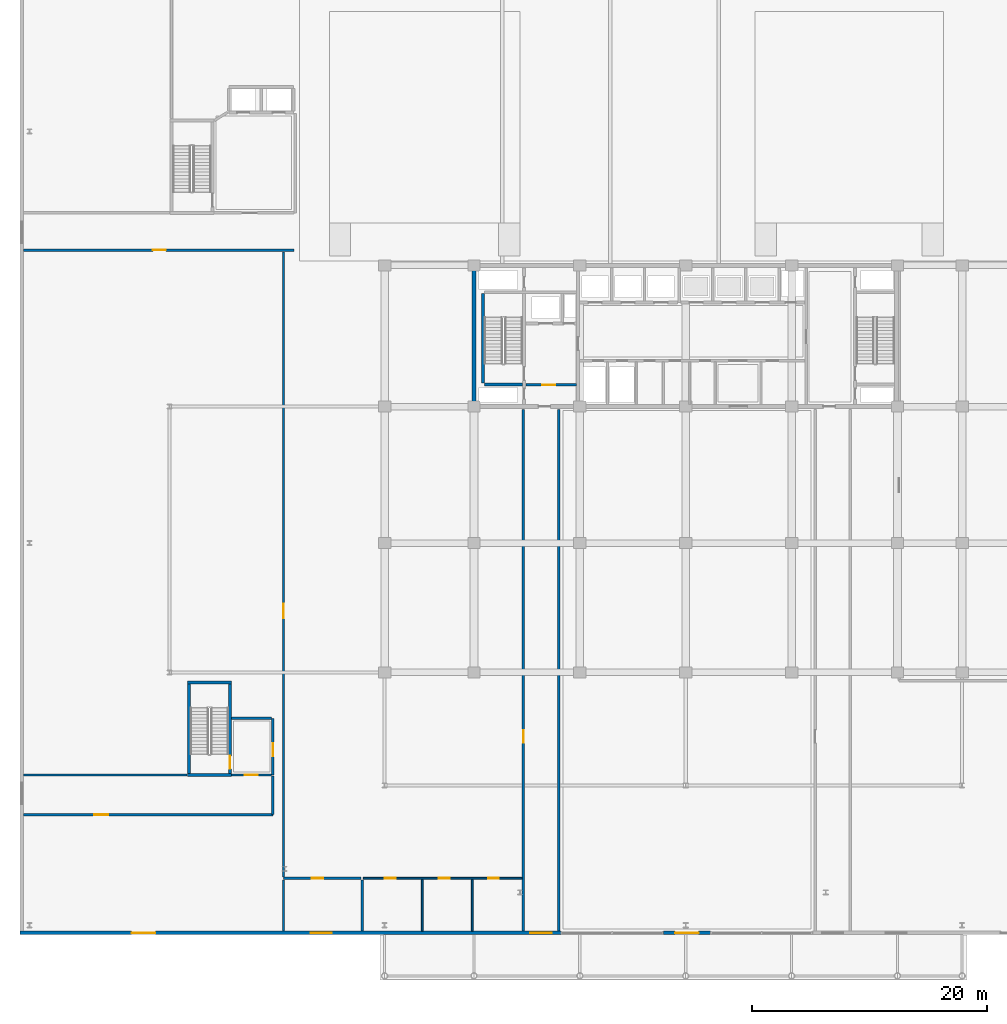
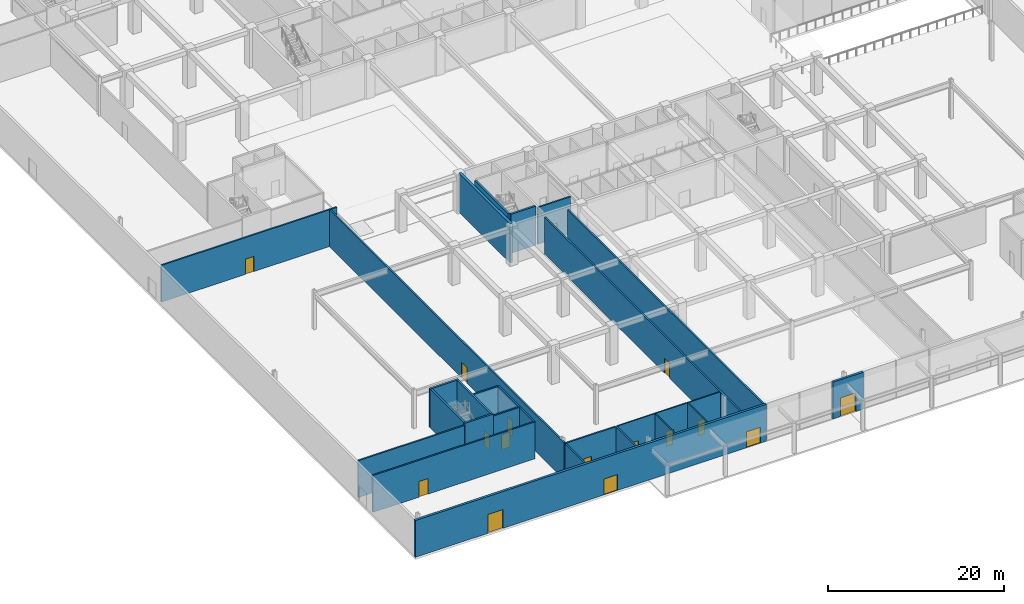
# One storey, part 20 of 46: 26 walls, 16 doors, 16 openings.
"""IFC4 building model written with IfcOpenShell, lengths in metres."""

from ifc_helpers import new_model, si_unit, direction, frame, frame_2d, origin, place, context, subcontext, project, spatial, rectangle, extrude, material, layer, layer_set, type_object, element, fill, save


model = new_model("IFC4")

# Units and contexts
model_context = context("Model", 3, precision=1e-05, world=origin(), true_north=direction((0.0, 1.0)))
body_context = subcontext(model_context, "Body", "Model", "MODEL_VIEW")
ifc_project = project(units=[si_unit("LENGTHUNIT", "METRE"), si_unit("AREAUNIT", "SQUARE_METRE"), si_unit("VOLUMEUNIT", "CUBIC_METRE"), si_unit("PLANEANGLEUNIT", "RADIAN"), si_unit("MASSUNIT", "GRAM", prefix="KILO")], contexts=[model_context])

# Site, building, storey
site_placement = place(None, origin())
site = spatial("IfcSite", under=ifc_project, at=site_placement, CompositionType="ELEMENT")
building_placement = place(site_placement, origin())
building = spatial("IfcBuilding", under=site, at=building_placement, Name="Korimba Cascade Residences", CompositionType="ELEMENT")
storey_placement = place(building_placement, origin())
storey = spatial("IfcBuildingStorey", under=building, at=storey_placement, Name="L00", CompositionType="ELEMENT", Elevation=0.0)

# Wall, openings, doors
ifc_material_1 = material(Name="Precast concrete C40/50", Category="concrete")
ifc_layer_1 = layer(ifc_material_1, 0.300048828125)
ifc_layer_set_1 = layer_set([ifc_layer_1], Name="Precast concrete C40/50")
wall_type_1 = type_object("IfcWallType", Name="EW-STONE-300", PredefinedType="STANDARD", material=ifc_layer_set_1)
wall_1_placement = place(storey_placement, frame((43.5, -26.35009765625, 0.0), z_axis=(0.0, 0.0, 1.0), x_axis=(1.0, 0.0, 0.0)))
wall_1 = element("IfcWall", 1, at=wall_1_placement, inside=storey, type_object=wall_type_1, Name="L00 South-West Stone Podium Wall", PredefinedType="STANDARD", context=body_context, shape_type="SweptSolid", body=[
    extrude(rectangle(XDim=46.0, YDim=0.300048828125, at=frame_2d((23.0, 0.0))), origin(), (0.0, 0.0, 1.0), 5.10009765625),
])
opening_1_placement = place(wall_1_placement, frame((9.5, 0.0, 0.0)))
opening_1 = element("IfcOpeningElement", 2, at=opening_1_placement, cuts=wall_1, Name="Opening D-EX1", PredefinedType="OPENING", context=body_context, shape_type="SweptSolid", body=[
    extrude(rectangle(XDim=2.0, YDim=2.60009765625, at=frame_2d((1.0, 1.300048828125))), frame((0.0, 0.16015625, 0.0), z_axis=(0.0, -1.0, 0.0), x_axis=(1.0, 0.0, 0.0)), (0.0, 0.0, 1.0), 0.320068359375),
])
opening_2_placement = place(wall_1_placement, frame((24.699951171875, 0.0, 0.0)))
opening_2 = element("IfcOpeningElement", 3, at=opening_2_placement, cuts=wall_1, Name="Opening D-EX2", PredefinedType="OPENING", context=body_context, shape_type="SweptSolid", body=[
    extrude(rectangle(XDim=1.800048828125, YDim=2.199951171875, at=frame_2d((0.89990234375, 1.10009765625))), frame((0.0, 0.16015625, 0.0), z_axis=(0.0, -1.0, 0.0), x_axis=(1.0, 0.0, 0.0)), (0.0, 0.0, 1.0), 0.320068359375),
])
opening_3_placement = place(wall_1_placement, frame((43.39990234375, 0.0, 0.0)))
opening_3 = element("IfcOpeningElement", 4, at=opening_3_placement, cuts=wall_1, Name="Opening D-EX2", PredefinedType="OPENING", context=body_context, shape_type="SweptSolid", body=[
    extrude(rectangle(XDim=1.800048828125, YDim=2.199951171875, at=frame_2d((0.89990234375, 1.10009765625))), frame((0.0, 0.16015625, 0.0), z_axis=(0.0, -1.0, 0.0), x_axis=(1.0, 0.0, 0.0)), (0.0, 0.0, 1.0), 0.320068359375),
])
ifc_material_2 = material(Name="Double-Glazed Entrance Doors", Category="glass")
door_type_1 = type_object("IfcDoorType", Name="DR-EXT-ENT", OperationType="NOTDEFINED", PredefinedType="DOOR", material=ifc_material_2)
door_1_placement = place(opening_1_placement, frame((2.0, 0.0, 0.0), z_axis=(0.0, 0.0, 1.0), x_axis=(-1.0, 0.0, 0.0)))
door_1 = element("IfcDoor", 5, at=door_1_placement, inside=storey, type_object=door_type_1, Name="L00 Corner Retail Street Entrance Door", OperationType="DOUBLE_DOOR_SINGLE_SWING", OverallHeight=2.60009765625, OverallWidth=2.0, PredefinedType="DOOR", context=body_context, shape_type="SweptSolid", body=[
    extrude(rectangle(XDim=2.0, YDim=2.60009765625, at=frame_2d((1.0, 1.300048828125))), frame((0.0, 0.02490234375, 0.0), z_axis=(0.0, -1.0, 0.0), x_axis=(1.0, 0.0, 0.0)), (0.0, 0.0, 1.0), 0.050048828125),
])
fill(opening_1, door_1)
ifc_material_3 = material(Name="Galvanised Steel Fire Exit Door", Category="steel")
door_type_2 = type_object("IfcDoorType", Name="DR-EXT-EXIT", OperationType="NOTDEFINED", PredefinedType="DOOR", material=ifc_material_3)
door_2_placement = place(opening_2_placement, frame((1.800048828125, 0.0, 0.0), z_axis=(0.0, 0.0, 1.0), x_axis=(-1.0, 0.0, 0.0)))
door_2 = element("IfcDoor", 6, at=door_2_placement, inside=storey, type_object=door_type_2, Name="L00 Fire Command Centre Direct Street Door", OperationType="DOUBLE_DOOR_SINGLE_SWING", OverallHeight=2.199951171875, OverallWidth=1.800048828125, PredefinedType="DOOR", context=body_context, shape_type="SweptSolid", body=[
    extrude(rectangle(XDim=1.800048828125, YDim=2.199951171875, at=frame_2d((0.89990234375, 1.10009765625))), frame((0.0, 0.02490234375, 0.0), z_axis=(0.0, -1.0, 0.0), x_axis=(1.0, 0.0, 0.0)), (0.0, 0.0, 1.0), 0.050048828125),
])
fill(opening_2, door_2)
door_3_placement = place(opening_3_placement, frame((1.800048828125, 0.0, 0.0), z_axis=(0.0, 0.0, 1.0), x_axis=(-1.0, 0.0, 0.0)))
door_3 = element("IfcDoor", 7, at=door_3_placement, inside=storey, type_object=door_type_2, Name="L00 Street Fire Exit Door EX-01", OperationType="DOUBLE_DOOR_SINGLE_SWING", OverallHeight=2.199951171875, OverallWidth=1.800048828125, PredefinedType="DOOR", context=body_context, shape_type="SweptSolid", body=[
    extrude(rectangle(XDim=1.800048828125, YDim=2.199951171875, at=frame_2d((0.89990234375, 1.10009765625))), frame((0.0, 0.02490234375, 0.0), z_axis=(0.0, -1.0, 0.0), x_axis=(1.0, 0.0, 0.0)), (0.0, 0.0, 1.0), 0.050048828125),
])
fill(opening_3, door_3)

# Wall, opening, door
wall_2_placement = place(storey_placement, frame((98.199951171875, -26.35009765625, 0.0), z_axis=(0.0, 0.0, 1.0), x_axis=(1.0, 0.0, 0.0)))
wall_2 = element("IfcWall", 8, at=wall_2_placement, inside=storey, type_object=wall_type_1, Name="L00 South Portal Entrance Wall", PredefinedType="STANDARD", context=body_context, shape_type="SweptSolid", body=[
    extrude(rectangle(XDim=4.0, YDim=0.300048828125, at=frame_2d((2.0, 0.0))), origin(), (0.0, 0.0, 1.0), 5.10009765625),
])
opening_4_placement = place(wall_2_placement, frame((1.0, 0.0, 0.0)))
opening_4 = element("IfcOpeningElement", 9, at=opening_4_placement, cuts=wall_2, Name="Opening D-EX1", PredefinedType="OPENING", context=body_context, shape_type="SweptSolid", body=[
    extrude(rectangle(XDim=2.0, YDim=2.60009765625, at=frame_2d((1.0, 1.300048828125))), frame((0.0, 0.16015625, 0.0), z_axis=(0.0, -1.0, 0.0), x_axis=(1.0, 0.0, 0.0)), (0.0, 0.0, 1.0), 0.320068359375),
])
door_4_placement = place(opening_4_placement, frame((2.0, 0.0, 0.0), z_axis=(0.0, 0.0, 1.0), x_axis=(-1.0, 0.0, 0.0)))
door_4 = element("IfcDoor", 10, at=door_4_placement, inside=storey, type_object=door_type_1, Name="L00 Main South Concierge Entrance Door", OperationType="DOUBLE_DOOR_SINGLE_SWING", OverallHeight=2.60009765625, OverallWidth=2.0, PredefinedType="DOOR", context=body_context, shape_type="SweptSolid", body=[
    extrude(rectangle(XDim=2.0, YDim=2.60009765625, at=frame_2d((1.0, 1.300048828125))), frame((0.0, 0.02490234375, 0.0), z_axis=(0.0, -1.0, 0.0), x_axis=(1.0, 0.0, 0.0)), (0.0, 0.0, 1.0), 0.050048828125),
])
fill(opening_4, door_4)

# Wall
ifc_material_4 = material(Name="Concrete C65/80", Category="concrete")
ifc_layer_2 = layer(ifc_material_4, 0.35009765625)
ifc_layer_set_2 = layer_set([ifc_layer_2], Name="Concrete C65/80")
wall_type_2 = type_object("IfcWallType", Name="WAL-CORE-350", PredefinedType="SHEAR", material=ifc_layer_set_2)
wall_3_placement = place(storey_placement, frame((82.10009765625, 18.574951171875, 0.0), z_axis=(0.0, 0.0, 1.0), x_axis=(0.0, 1.0, 0.0)))
element("IfcWall", 11, at=wall_3_placement, inside=storey, type_object=wall_type_2, Name="L00 Core Shear Wall CW-L00-T2-W", PredefinedType="SHEAR", context=body_context, shape_type="SweptSolid", body=[
    extrude(rectangle(XDim=11.650146484375, YDim=0.35009765625, at=frame_2d((5.8251953125, 0.0))), origin(), (0.0, 0.0, 1.0), 5.39990234375),
])

# Wall, openings, doors
ifc_material_5 = material(Name="Insulated Acoustic Stud Partition", Category="gypsum")
ifc_layer_3 = layer(ifc_material_5, 0.14990234375)
ifc_layer_set_3 = layer_set([ifc_layer_3], Name="Insulated Acoustic Stud Partition")
wall_type_3 = type_object("IfcWallType", Name="WAL-PART-150", PredefinedType="PARTITIONING", material=ifc_layer_set_3)
wall_4_placement = place(storey_placement, frame((72.699951171875, -21.699951171875, 0.0), z_axis=(0.0, 0.0, 1.0), x_axis=(1.0, 0.0, 0.0)))
wall_4 = element("IfcWall", 12, at=wall_4_placement, inside=storey, type_object=wall_type_3, Name="L00 Partition Wall WAL-L00-WCN", PredefinedType="PARTITIONING", context=body_context, shape_type="SweptSolid", body=[
    extrude(rectangle(XDim=13.5, YDim=0.14990234375, at=frame_2d((6.75, 0.0))), origin(), (0.0, 0.0, 1.0), 5.10009765625),
])
opening_5_placement = place(wall_4_placement, frame((1.800048828125, 0.0, 0.0)))
opening_5 = element("IfcOpeningElement", 13, at=opening_5_placement, cuts=wall_4, Name="Opening D-AC1", PredefinedType="OPENING", context=body_context, shape_type="SweptSolid", body=[
    extrude(rectangle(XDim=0.9599609375, YDim=2.10009765625, at=frame_2d((0.47998046875, 1.050048828125))), frame((0.0, 0.0849609375, 0.0), z_axis=(0.0, -1.0, 0.0), x_axis=(1.0, 0.0, 0.0)), (0.0, 0.0, 1.0), 0.169921875),
])
opening_6_placement = place(wall_4_placement, frame((6.39990234375, 0.0, 0.0)))
opening_6 = element("IfcOpeningElement", 14, at=opening_6_placement, cuts=wall_4, Name="Opening D-IN1", PredefinedType="OPENING", context=body_context, shape_type="SweptSolid", body=[
    extrude(rectangle(XDim=0.919921875, YDim=2.080078125, at=frame_2d((0.4599609375, 1.0400390625))), frame((0.0, 0.0849609375, 0.0), z_axis=(0.0, -1.0, 0.0), x_axis=(1.0, 0.0, 0.0)), (0.0, 0.0, 1.0), 0.169921875),
])
opening_7_placement = place(wall_4_placement, frame((10.60009765625, 0.0, 0.0)))
opening_7 = element("IfcOpeningElement", 15, at=opening_7_placement, cuts=wall_4, Name="Opening D-IN1", PredefinedType="OPENING", context=body_context, shape_type="SweptSolid", body=[
    extrude(rectangle(XDim=0.919921875, YDim=2.080078125, at=frame_2d((0.4599609375, 1.0400390625))), frame((0.0, 0.0849609375, 0.0), z_axis=(0.0, -1.0, 0.0), x_axis=(1.0, 0.0, 0.0)), (0.0, 0.0, 1.0), 0.169921875),
])
ifc_material_6 = material(Name="Accessible Acoustic Timber WC Door", Category="wood")
door_type_3 = type_object("IfcDoorType", Name="DR-ACC-950", OperationType="NOTDEFINED", PredefinedType="DOOR", material=ifc_material_6)
door_5_placement = place(opening_5_placement, origin())
door_5 = element("IfcDoor", 16, at=door_5_placement, inside=storey, type_object=door_type_3, Name="L00 Accessible WC Door", OperationType="SINGLE_SWING_LEFT", OverallHeight=2.10009765625, OverallWidth=0.9599609375, PredefinedType="DOOR", context=body_context, shape_type="SweptSolid", body=[
    extrude(rectangle(XDim=0.9599609375, YDim=2.10009765625, at=frame_2d((0.47998046875, 1.050048828125))), frame((0.0, 0.02490234375, 0.0), z_axis=(0.0, -1.0, 0.0), x_axis=(1.0, 0.0, 0.0)), (0.0, 0.0, 1.0), 0.050048828125),
])
fill(opening_5, door_5)
ifc_material_7 = material(Name="Acoustic Timber Living Door", Category="wood")
door_type_4 = type_object("IfcDoorType", Name="DR-INT-920", OperationType="NOTDEFINED", PredefinedType="DOOR", material=ifc_material_7)
door_6_placement = place(opening_6_placement, origin())
door_6 = element("IfcDoor", 17, at=door_6_placement, inside=storey, type_object=door_type_4, Name="L00 Female WC Door", OperationType="SINGLE_SWING_RIGHT", OverallHeight=2.080078125, OverallWidth=0.919921875, PredefinedType="DOOR", context=body_context, shape_type="SweptSolid", body=[
    extrude(rectangle(XDim=0.919921875, YDim=2.080078125, at=frame_2d((0.4599609375, 1.0400390625))), frame((0.0, 0.02490234375, 0.0), z_axis=(0.0, -1.0, 0.0), x_axis=(1.0, 0.0, 0.0)), (0.0, 0.0, 1.0), 0.050048828125),
])
fill(opening_6, door_6)
door_7_placement = place(opening_7_placement, origin())
door_7 = element("IfcDoor", 18, at=door_7_placement, inside=storey, type_object=door_type_4, Name="L00 Male WC Door", OperationType="SINGLE_SWING_LEFT", OverallHeight=2.080078125, OverallWidth=0.919921875, PredefinedType="DOOR", context=body_context, shape_type="SweptSolid", body=[
    extrude(rectangle(XDim=0.919921875, YDim=2.080078125, at=frame_2d((0.4599609375, 1.0400390625))), frame((0.0, 0.02490234375, 0.0), z_axis=(0.0, -1.0, 0.0), x_axis=(1.0, 0.0, 0.0)), (0.0, 0.0, 1.0), 0.050048828125),
])
fill(opening_7, door_7)

# Walls
for number, where, z_axis, x_axis, name in (
    (19, (77.699951171875, -26.199951171875, 0.0), (0.0, 0.0, 1.0), (0.0, 1.0, 0.0), "L00 Partition Wall WAL-L00-WCM"),
    (20, (81.949951171875, -26.199951171875, 0.0), (0.0, 0.0, 1.0), (0.0, 1.0, 0.0), "L00 Partition Wall WAL-L00-WCM2"),
):
    element("IfcWall", number, at=place(storey_placement, frame(where, z_axis=z_axis, x_axis=x_axis)), inside=storey, type_object=wall_type_3, Name=name, PredefinedType="PARTITIONING", context=body_context, shape_type="SweptSolid", body=[
        extrude(rectangle(XDim=4.39990234375, YDim=0.14990234375, at=frame_2d((2.199951171875, 0.0))), origin(), (0.0, 0.0, 1.0), 5.10009765625),
    ])

# Wall, opening, door
ifc_material_8 = material(Name="Concrete C40/50", Category="concrete")
ifc_layer_4 = layer(ifc_material_8, 0.199951171875)
ifc_layer_set_4 = layer_set([ifc_layer_4], Name="Concrete C40/50")
wall_type_4 = type_object("IfcWallType", Name="WAL-PART-200", PredefinedType="PARTITIONING", material=ifc_layer_set_4)
wall_5_placement = place(storey_placement, frame((86.5, 20.25, 0.0), z_axis=(0.0, 0.0, 1.0), x_axis=(1.0, 0.0, 0.0)))
wall_5 = element("IfcWall", 21, at=wall_5_placement, inside=storey, type_object=wall_type_4, Name="L00 Partition Wall CW-L00-T2-FFLS", PredefinedType="PARTITIONING", context=body_context, shape_type="SweptSolid", body=[
    extrude(rectangle(XDim=4.320068359375, YDim=0.199951171875, at=frame_2d((2.16015625, 0.0))), origin(), (0.0, 0.0, 1.0), 5.10009765625),
])
opening_8_placement = place(wall_5_placement, frame((1.39990234375, 0.0, 0.0)))
opening_8 = element("IfcOpeningElement", 22, at=opening_8_placement, cuts=wall_5, Name="Opening D-FD1", PredefinedType="OPENING", context=body_context, shape_type="SweptSolid", body=[
    extrude(rectangle(XDim=1.10009765625, YDim=2.10009765625, at=frame_2d((0.550048828125, 1.050048828125))), frame((0.0, 0.10986328125, 0.0), z_axis=(0.0, -1.0, 0.0), x_axis=(1.0, 0.0, 0.0)), (0.0, 0.0, 1.0), 0.219970703125),
])
ifc_material_9 = material(Name="Fire-Rated Steel Core Door", Category="steel")
door_type_5 = type_object("IfcDoorType", Name="DR-FD120-1100", OperationType="NOTDEFINED", PredefinedType="DOOR", material=ifc_material_9)
door_8_placement = place(opening_8_placement, origin())
door_8 = element("IfcDoor", 23, at=door_8_placement, inside=storey, type_object=door_type_5, Name="L00 T2 Firefighting Lobby Door", OperationType="SINGLE_SWING_RIGHT", OverallHeight=2.10009765625, OverallWidth=1.10009765625, PredefinedType="DOOR", context=body_context, shape_type="SweptSolid", body=[
    extrude(rectangle(XDim=1.10009765625, YDim=2.10009765625, at=frame_2d((0.550048828125, 1.050048828125))), frame((0.0, 0.02490234375, 0.0), z_axis=(0.0, -1.0, 0.0), x_axis=(1.0, 0.0, 0.0)), (0.0, 0.0, 1.0), 0.050048828125),
])
fill(opening_8, door_8)

wall_6_placement = place(storey_placement, frame((65.0, -12.925048828125, 0.0), z_axis=(0.0, 0.0, 1.0), x_axis=(0.0, 1.0, 0.0)))
wall_6 = element("IfcWall", 24, at=wall_6_placement, inside=storey, type_object=wall_type_4, Name="L00 Partition Wall CW-L00-PL3E", PredefinedType="PARTITIONING", context=body_context, shape_type="SweptSolid", body=[
    extrude(rectangle(XDim=4.824951171875, YDim=0.199951171875, at=frame_2d((2.41259765625, 0.0))), origin(), (0.0, 0.0, 1.0), 5.10009765625),
])
opening_9_placement = place(wall_6_placement, frame((1.60009765625, 0.0, 0.0)))
opening_9 = element("IfcOpeningElement", 25, at=opening_9_placement, cuts=wall_6, Name="Opening D-FD6", PredefinedType="OPENING", context=body_context, shape_type="SweptSolid", body=[
    extrude(rectangle(XDim=1.10009765625, YDim=2.14990234375, at=frame_2d((0.550048828125, 1.074951171875))), frame((0.0, 0.10986328125, 0.0), z_axis=(0.0, -1.0, 0.0), x_axis=(1.0, 0.0, 0.0)), (0.0, 0.0, 1.0), 0.219970703125),
])
ifc_material_10 = material(Name="Fire-Rated Timber Stair Lobby Door", Category="wood")
door_type_6 = type_object("IfcDoorType", Name="DR-FD90-1100", OperationType="NOTDEFINED", PredefinedType="DOOR", material=ifc_material_10)
door_9_placement = place(opening_9_placement, origin())
door_9 = element("IfcDoor", 26, at=door_9_placement, inside=storey, type_object=door_type_6, Name="L00 South-West Stair Vestibule Door", OperationType="SINGLE_SWING_RIGHT", OverallHeight=2.14990234375, OverallWidth=1.10009765625, PredefinedType="DOOR", context=body_context, shape_type="SweptSolid", body=[
    extrude(rectangle(XDim=1.10009765625, YDim=2.14990234375, at=frame_2d((0.550048828125, 1.074951171875))), frame((0.0, 0.02490234375, 0.0), z_axis=(0.0, -1.0, 0.0), x_axis=(1.0, 0.0, 0.0)), (0.0, 0.0, 1.0), 0.050048828125),
])
fill(opening_9, door_9)

wall_7_placement = place(storey_placement, frame((61.5, -12.925048828125, 0.0), z_axis=(0.0, 0.0, 1.0), x_axis=(1.0, 0.0, 0.0)))
wall_7 = element("IfcWall", 27, at=wall_7_placement, inside=storey, type_object=wall_type_4, Name="L00 Partition Wall CW-L00-PL3S", PredefinedType="PARTITIONING", context=body_context, shape_type="SweptSolid", body=[
    extrude(rectangle(XDim=3.39990234375, YDim=0.199951171875, at=frame_2d((1.699951171875, 0.0))), origin(), (0.0, 0.0, 1.0), 5.10009765625),
])
opening_10_placement = place(wall_7_placement, frame((1.10009765625, 0.0, 0.0)))
opening_10 = element("IfcOpeningElement", 28, at=opening_10_placement, cuts=wall_7, Name="Opening D-FD1", PredefinedType="OPENING", context=body_context, shape_type="SweptSolid", body=[
    extrude(rectangle(XDim=1.10009765625, YDim=2.10009765625, at=frame_2d((0.550048828125, 1.050048828125))), frame((0.0, 0.10986328125, 0.0), z_axis=(0.0, -1.0, 0.0), x_axis=(1.0, 0.0, 0.0)), (0.0, 0.0, 1.0), 0.219970703125),
])
door_10_placement = place(opening_10_placement, origin())
door_10 = element("IfcDoor", 29, at=door_10_placement, inside=storey, type_object=door_type_5, Name="L00 SW Vestibule to Exit Passage Door", OperationType="SINGLE_SWING_LEFT", OverallHeight=2.10009765625, OverallWidth=1.10009765625, PredefinedType="DOOR", context=body_context, shape_type="SweptSolid", body=[
    extrude(rectangle(XDim=1.10009765625, YDim=2.10009765625, at=frame_2d((0.550048828125, 1.050048828125))), frame((0.0, 0.02490234375, 0.0), z_axis=(0.0, -1.0, 0.0), x_axis=(1.0, 0.0, 0.0)), (0.0, 0.0, 1.0), 0.050048828125),
])
fill(opening_10, door_10)

# Wall
wall_8_placement = place(storey_placement, frame((61.5, -8.10009765625, 0.0), z_axis=(0.0, 0.0, 1.0), x_axis=(1.0, 0.0, 0.0)))
element("IfcWall", 30, at=wall_8_placement, inside=storey, type_object=wall_type_4, Name="L00 Partition Wall CW-L00-PL3N", PredefinedType="PARTITIONING", context=body_context, shape_type="SweptSolid", body=[
    extrude(rectangle(XDim=3.39990234375, YDim=0.199951171875, at=frame_2d((1.699951171875, 0.0))), origin(), (0.0, 0.0, 1.0), 5.10009765625),
])

# Wall, opening, door
wall_9_placement = place(storey_placement, frame((65.89990234375, -21.699951171875, 0.0), z_axis=(0.0, 0.0, 1.0), x_axis=(1.0, 0.0, 0.0)))
wall_9 = element("IfcWall", 31, at=wall_9_placement, inside=storey, type_object=wall_type_4, Name="L00 Partition Wall WAL-L00-FCCN", PredefinedType="PARTITIONING", context=body_context, shape_type="SweptSolid", body=[
    extrude(rectangle(XDim=6.60009765625, YDim=0.199951171875, at=frame_2d((3.300048828125, 0.0))), origin(), (0.0, 0.0, 1.0), 5.10009765625),
])
opening_11_placement = place(wall_9_placement, frame((2.39990234375, 0.0, 0.0)))
opening_11 = element("IfcOpeningElement", 32, at=opening_11_placement, cuts=wall_9, Name="Opening D-FD2", PredefinedType="OPENING", context=body_context, shape_type="SweptSolid", body=[
    extrude(rectangle(XDim=1.0, YDim=2.10009765625, at=frame_2d((0.5, 1.050048828125))), frame((0.0, 0.10986328125, 0.0), z_axis=(0.0, -1.0, 0.0), x_axis=(1.0, 0.0, 0.0)), (0.0, 0.0, 1.0), 0.219970703125),
])
ifc_material_11 = material(Name="Fire-Rated Steel FCC Door", Category="steel")
door_type_7 = type_object("IfcDoorType", Name="DR-FD120-1000", OperationType="NOTDEFINED", PredefinedType="DOOR", material=ifc_material_11)
door_11_placement = place(opening_11_placement, origin())
door_11 = element("IfcDoor", 33, at=door_11_placement, inside=storey, type_object=door_type_7, Name="L00 Fire Command Centre Internal Door", OperationType="SINGLE_SWING_LEFT", OverallHeight=2.10009765625, OverallWidth=1.0, PredefinedType="DOOR", context=body_context, shape_type="SweptSolid", body=[
    extrude(rectangle(XDim=1.0, YDim=2.10009765625, at=frame_2d((0.5, 1.050048828125))), frame((0.0, 0.02490234375, 0.0), z_axis=(0.0, -1.0, 0.0), x_axis=(1.0, 0.0, 0.0)), (0.0, 0.0, 1.0), 0.050048828125),
])
fill(opening_11, door_11)

# Walls
for number, where, z_axis, x_axis, name in (
    (34, (65.89990234375, -26.199951171875, 0.0), (0.0, 0.0, 1.0), (0.0, 1.0, 0.0), "L00 Partition Wall WAL-L00-FCCW"),
    (35, (72.60009765625, -26.199951171875, 0.0), (0.0, 0.0, 1.0), (0.0, 1.0, 0.0), "L00 Partition Wall WAL-L00-FCCE"),
):
    element("IfcWall", number, at=place(storey_placement, frame(where, z_axis=z_axis, x_axis=x_axis)), inside=storey, type_object=wall_type_4, Name=name, PredefinedType="PARTITIONING", context=body_context, shape_type="SweptSolid", body=[
        extrude(rectangle(XDim=4.349853515625, YDim=0.199951171875, at=frame_2d((2.1748046875, 0.0))), origin(), (0.0, 0.0, 1.0), 5.10009765625),
    ])

# Wall, opening, door
wall_10_placement = place(storey_placement, frame((86.300048828125, -26.199951171875, 0.0), z_axis=(0.0, 0.0, 1.0), x_axis=(0.0, 1.0, 0.0)))
wall_10 = element("IfcWall", 36, at=wall_10_placement, inside=storey, type_object=wall_type_4, Name="L00 Partition Wall WAL-L00-XPS1W", PredefinedType="PARTITIONING", context=body_context, shape_type="SweptSolid", body=[
    extrude(rectangle(XDim=44.349853515625, YDim=0.199951171875, at=frame_2d((22.1748046875, 0.0))), origin(), (0.0, 0.0, 1.0), 5.10009765625),
])
opening_12_placement = place(wall_10_placement, frame((16.0, 0.0, 0.0)))
opening_12 = element("IfcOpeningElement", 37, at=opening_12_placement, cuts=wall_10, Name="Opening D-FD1", PredefinedType="OPENING", context=body_context, shape_type="SweptSolid", body=[
    extrude(rectangle(XDim=1.10009765625, YDim=2.10009765625, at=frame_2d((0.550048828125, 1.050048828125))), frame((0.0, 0.10986328125, 0.0), z_axis=(0.0, -1.0, 0.0), x_axis=(1.0, 0.0, 0.0)), (0.0, 0.0, 1.0), 0.219970703125),
])
door_12_placement = place(opening_12_placement, origin())
door_12 = element("IfcDoor", 38, at=door_12_placement, inside=storey, type_object=door_type_5, Name="L00 South Lobby to Exit Passage Door", OperationType="SINGLE_SWING_RIGHT", OverallHeight=2.10009765625, OverallWidth=1.10009765625, PredefinedType="DOOR", context=body_context, shape_type="SweptSolid", body=[
    extrude(rectangle(XDim=1.10009765625, YDim=2.10009765625, at=frame_2d((0.550048828125, 1.050048828125))), frame((0.0, 0.02490234375, 0.0), z_axis=(0.0, -1.0, 0.0), x_axis=(1.0, 0.0, 0.0)), (0.0, 0.0, 1.0), 0.050048828125),
])
fill(opening_12, door_12)

# Wall
wall_11_placement = place(storey_placement, frame((89.300048828125, -26.199951171875, 0.0), z_axis=(0.0, 0.0, 1.0), x_axis=(0.0, 1.0, 0.0)))
element("IfcWall", 39, at=wall_11_placement, inside=storey, type_object=wall_type_4, Name="L00 Partition Wall WAL-L00-XPS1E", PredefinedType="PARTITIONING", context=body_context, shape_type="SweptSolid", body=[
    extrude(rectangle(XDim=44.349853515625, YDim=0.199951171875, at=frame_2d((22.1748046875, 0.0))), origin(), (0.0, 0.0, 1.0), 5.10009765625),
])

# Wall, opening, door
wall_12_placement = place(storey_placement, frame((43.800048828125, 31.699951171875, 0.0), z_axis=(0.0, 0.0, 1.0), x_axis=(1.0, 0.0, 0.0)))
wall_12 = element("IfcWall", 40, at=wall_12_placement, inside=storey, type_object=wall_type_4, Name="L00 Partition Wall WAL-L00-XPWS", PredefinedType="PARTITIONING", context=body_context, shape_type="SweptSolid", body=[
    extrude(rectangle(XDim=23.0, YDim=0.199951171875, at=frame_2d((11.5, 0.0))), origin(), (0.0, 0.0, 1.0), 5.10009765625),
])
opening_13_placement = place(wall_12_placement, frame((11.0, 0.0, 0.0)))
opening_13 = element("IfcOpeningElement", 41, at=opening_13_placement, cuts=wall_12, Name="Opening D-FD1", PredefinedType="OPENING", context=body_context, shape_type="SweptSolid", body=[
    extrude(rectangle(XDim=1.10009765625, YDim=2.10009765625, at=frame_2d((0.550048828125, 1.050048828125))), frame((0.0, 0.10986328125, 0.0), z_axis=(0.0, -1.0, 0.0), x_axis=(1.0, 0.0, 0.0)), (0.0, 0.0, 1.0), 0.219970703125),
])
door_13_placement = place(opening_13_placement, origin())
door_13 = element("IfcDoor", 42, at=door_13_placement, inside=storey, type_object=door_type_5, Name="L00 Concourse to West Exit Passage Door", OperationType="SINGLE_SWING_RIGHT", OverallHeight=2.10009765625, OverallWidth=1.10009765625, PredefinedType="DOOR", context=body_context, shape_type="SweptSolid", body=[
    extrude(rectangle(XDim=1.10009765625, YDim=2.10009765625, at=frame_2d((0.550048828125, 1.050048828125))), frame((0.0, 0.02490234375, 0.0), z_axis=(0.0, -1.0, 0.0), x_axis=(1.0, 0.0, 0.0)), (0.0, 0.0, 1.0), 0.050048828125),
])
fill(opening_13, door_13)

wall_13_placement = place(storey_placement, frame((43.800048828125, -16.300048828125, 0.0), z_axis=(0.0, 0.0, 1.0), x_axis=(1.0, 0.0, 0.0)))
wall_13 = element("IfcWall", 43, at=wall_13_placement, inside=storey, type_object=wall_type_4, Name="L00 Partition Wall WAL-L00-XPP3S", PredefinedType="PARTITIONING", context=body_context, shape_type="SweptSolid", body=[
    extrude(rectangle(XDim=21.199951171875, YDim=0.199951171875, at=frame_2d((10.60009765625, 0.0))), origin(), (0.0, 0.0, 1.0), 5.10009765625),
])
opening_14_placement = place(wall_13_placement, frame((6.0, 0.0, 0.0)))
opening_14 = element("IfcOpeningElement", 44, at=opening_14_placement, cuts=wall_13, Name="Opening D-AM1", PredefinedType="OPENING", context=body_context, shape_type="SweptSolid", body=[
    extrude(rectangle(XDim=1.219970703125, YDim=2.179931640625, at=frame_2d((0.60986328125, 1.08984375))), frame((0.0, 0.10986328125, 0.0), z_axis=(0.0, -1.0, 0.0), x_axis=(1.0, 0.0, 0.0)), (0.0, 0.0, 1.0), 0.219970703125),
])
ifc_material_12 = material(Name="Fire-Rated Glazed Timber Suite Door", Category="wood")
door_type_8 = type_object("IfcDoorType", Name="DR-FD60-1200", OperationType="NOTDEFINED", PredefinedType="DOOR", material=ifc_material_12)
door_14_placement = place(opening_14_placement, origin())
door_14 = element("IfcDoor", 45, at=door_14_placement, inside=storey, type_object=door_type_8, Name="L00 Corner Retail Exit Door", OperationType="SINGLE_SWING_RIGHT", OverallHeight=2.179931640625, OverallWidth=1.219970703125, PredefinedType="DOOR", context=body_context, shape_type="SweptSolid", body=[
    extrude(rectangle(XDim=1.219970703125, YDim=2.179931640625, at=frame_2d((0.60986328125, 1.08984375))), frame((0.0, 0.02490234375, 0.0), z_axis=(0.0, -1.0, 0.0), x_axis=(1.0, 0.0, 0.0)), (0.0, 0.0, 1.0), 0.050048828125),
])
fill(opening_14, door_14)

# Walls
wall_14_placement = place(storey_placement, frame((43.800048828125, -12.925048828125, 0.0), z_axis=(0.0, 0.0, 1.0), x_axis=(1.0, 0.0, 0.0)))
element("IfcWall", 46, at=wall_14_placement, inside=storey, type_object=wall_type_4, Name="L00 Partition Wall WAL-L00-XPP3N", PredefinedType="PARTITIONING", context=body_context, shape_type="SweptSolid", body=[
    extrude(rectangle(XDim=13.89990234375, YDim=0.199951171875, at=frame_2d((6.949951171875, 0.0))), origin(), (0.0, 0.0, 1.0), 5.10009765625),
])
wall_15_placement = place(storey_placement, frame((65.0, -16.300048828125, 0.0), z_axis=(0.0, 0.0, 1.0), x_axis=(0.0, 1.0, 0.0)))
element("IfcWall", 47, at=wall_15_placement, inside=storey, type_object=wall_type_4, Name="L00 Partition Wall WAL-L00-XPP3E", PredefinedType="PARTITIONING", context=body_context, shape_type="SweptSolid", body=[
    extrude(rectangle(XDim=3.300048828125, YDim=0.199951171875, at=frame_2d((1.64990234375, 0.0))), origin(), (0.0, 0.0, 1.0), 5.10009765625),
])

# Wall, opening, door
wall_16_placement = place(storey_placement, frame((65.89990234375, -21.60009765625, 0.0), z_axis=(0.0, 0.0, 1.0), x_axis=(0.0, 1.0, 0.0)))
wall_16 = element("IfcWall", 48, at=wall_16_placement, inside=storey, type_object=wall_type_4, Name="L00 Partition Wall WAL-L00-RETE", PredefinedType="PARTITIONING", context=body_context, shape_type="SweptSolid", body=[
    extrude(rectangle(XDim=53.150146484375, YDim=0.199951171875, at=frame_2d((26.5751953125, 0.0))), origin(), (0.0, 0.0, 1.0), 5.10009765625),
])
opening_15_placement = place(wall_16_placement, frame((22.0, 0.0, 0.0)))
opening_15 = element("IfcOpeningElement", 49, at=opening_15_placement, cuts=wall_16, Name="Opening D-AM1", PredefinedType="OPENING", context=body_context, shape_type="SweptSolid", body=[
    extrude(rectangle(XDim=1.219970703125, YDim=2.179931640625, at=frame_2d((0.60986328125, 1.08984375))), frame((0.0, 0.10986328125, 0.0), z_axis=(0.0, -1.0, 0.0), x_axis=(1.0, 0.0, 0.0)), (0.0, 0.0, 1.0), 0.219970703125),
])
door_15_placement = place(opening_15_placement, origin())
door_15 = element("IfcDoor", 50, at=door_15_placement, inside=storey, type_object=door_type_8, Name="L00 Retail Internal Door", OperationType="SINGLE_SWING_RIGHT", OverallHeight=2.179931640625, OverallWidth=1.219970703125, PredefinedType="DOOR", context=body_context, shape_type="SweptSolid", body=[
    extrude(rectangle(XDim=1.219970703125, YDim=2.179931640625, at=frame_2d((0.60986328125, 1.08984375))), frame((0.0, 0.02490234375, 0.0), z_axis=(0.0, -1.0, 0.0), x_axis=(1.0, 0.0, 0.0)), (0.0, 0.0, 1.0), 0.050048828125),
])
fill(opening_15, door_15)

# Walls
ifc_material_13 = material(Name="Concrete C50/60", Category="concrete")
ifc_layer_5 = layer(ifc_material_13, 0.25)
ifc_layer_set_5 = layer_set([ifc_layer_5], Name="Concrete C50/60")
wall_type_5 = type_object("IfcWallType", Name="WAL-SHAFT-250", PredefinedType="SHEAR", material=ifc_layer_set_5)
wall_17_placement = place(storey_placement, frame((82.875, 20.39990234375, 0.0), z_axis=(0.0, 0.0, 1.0), x_axis=(0.0, 1.0, 0.0)))
element("IfcWall", 51, at=wall_17_placement, inside=storey, type_object=wall_type_5, Name="L00 Core Shear Wall CW-L00-T2-STE1W", PredefinedType="SHEAR", context=body_context, shape_type="SweptSolid", body=[
    extrude(rectangle(XDim=7.60009765625, YDim=0.25, at=frame_2d((3.800048828125, 0.0))), origin(), (0.0, 0.0, 1.0), 5.39990234375),
])
wall_18_placement = place(storey_placement, frame((83.0, 20.27490234375, 0.0), z_axis=(0.0, 0.0, 1.0), x_axis=(1.0, 0.0, 0.0)))
element("IfcWall", 52, at=wall_18_placement, inside=storey, type_object=wall_type_5, Name="L00 Core Shear Wall CW-L00-T2-STE1S", PredefinedType="SHEAR", context=body_context, shape_type="SweptSolid", body=[
    extrude(rectangle(XDim=3.239990234375, YDim=0.25, at=frame_2d((1.6201171875, 0.0))), origin(), (0.0, 0.0, 1.0), 5.39990234375),
])
wall_19_placement = place(storey_placement, frame((57.875, -12.800048828125, 0.0), z_axis=(0.0, 0.0, 1.0), x_axis=(0.0, 1.0, 0.0)))
element("IfcWall", 53, at=wall_19_placement, inside=storey, type_object=wall_type_5, Name="L00 Core Shear Wall CW-L00-STP3W", PredefinedType="SHEAR", context=body_context, shape_type="SweptSolid", body=[
    extrude(rectangle(XDim=7.60009765625, YDim=0.25, at=frame_2d((3.800048828125, 0.0))), origin(), (0.0, 0.0, 1.0), 5.39990234375),
])
for number, where, z_axis, x_axis, name in (
    (54, (57.75, -12.925048828125, 0.0), (0.0, 0.0, 1.0), (1.0, 0.0, 0.0), "L00 Core Shear Wall CW-L00-STP3S"),
    (55, (57.75, -5.074951171875, 0.0), (0.0, 0.0, 1.0), (1.0, 0.0, 0.0), "L00 Core Shear Wall CW-L00-STP3N"),
):
    element("IfcWall", number, at=place(storey_placement, frame(where, z_axis=z_axis, x_axis=x_axis)), inside=storey, type_object=wall_type_5, Name=name, PredefinedType="SHEAR", context=body_context, shape_type="SweptSolid", body=[
        extrude(rectangle(XDim=3.739990234375, YDim=0.25, at=frame_2d((1.8701171875, 0.0))), origin(), (0.0, 0.0, 1.0), 5.39990234375),
    ])

# Wall, opening, door
wall_20_placement = place(storey_placement, frame((61.364990234375, -12.800048828125, 0.0), z_axis=(0.0, 0.0, 1.0), x_axis=(0.0, 1.0, 0.0)))
wall_20 = element("IfcWall", 56, at=wall_20_placement, inside=storey, type_object=wall_type_5, Name="L00 Core Shear Wall CW-L00-STP3E", PredefinedType="SHEAR", context=body_context, shape_type="SweptSolid", body=[
    extrude(rectangle(XDim=7.60009765625, YDim=0.25, at=frame_2d((3.800048828125, 0.0))), origin(), (0.0, 0.0, 1.0), 5.39990234375),
])
opening_16_placement = place(wall_20_placement, frame((0.39990234375, 0.0, 0.0)))
opening_16 = element("IfcOpeningElement", 57, at=opening_16_placement, cuts=wall_20, Name="Opening D-FD1", PredefinedType="OPENING", context=body_context, shape_type="SweptSolid", body=[
    extrude(rectangle(XDim=1.10009765625, YDim=2.10009765625, at=frame_2d((0.550048828125, 1.050048828125))), frame((0.0, 0.135009765625, 0.0), z_axis=(0.0, -1.0, 0.0), x_axis=(1.0, 0.0, 0.0)), (0.0, 0.0, 1.0), 0.27001953125),
])
door_16_placement = place(opening_16_placement, origin())
door_16 = element("IfcDoor", 58, at=door_16_placement, inside=storey, type_object=door_type_5, Name="L00 Podium Stair ST-P3 Door", OperationType="SINGLE_SWING_LEFT", OverallHeight=2.10009765625, OverallWidth=1.10009765625, PredefinedType="DOOR", context=body_context, shape_type="SweptSolid", body=[
    extrude(rectangle(XDim=1.10009765625, YDim=2.10009765625, at=frame_2d((0.550048828125, 1.050048828125))), frame((0.0, 0.02490234375, 0.0), z_axis=(0.0, -1.0, 0.0), x_axis=(1.0, 0.0, 0.0)), (0.0, 0.0, 1.0), 0.050048828125),
])
fill(opening_16, door_16)

save(model, "model.ifc")
